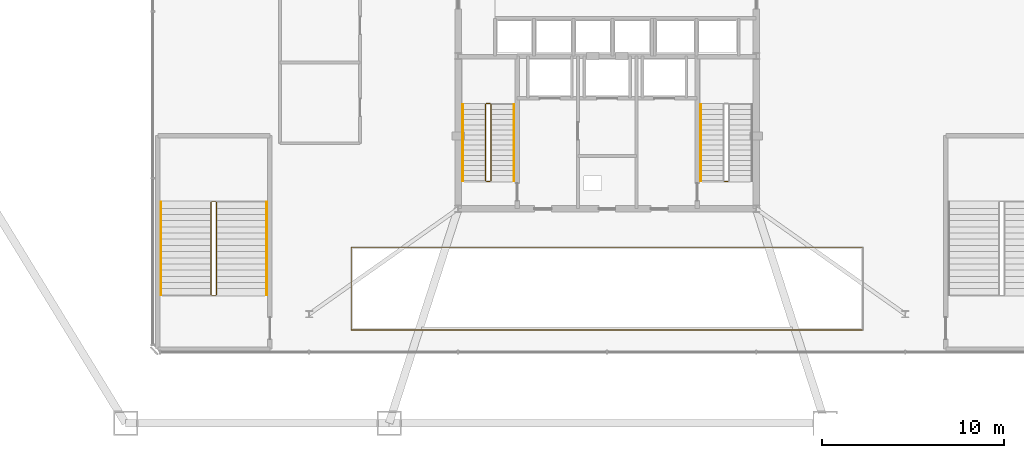
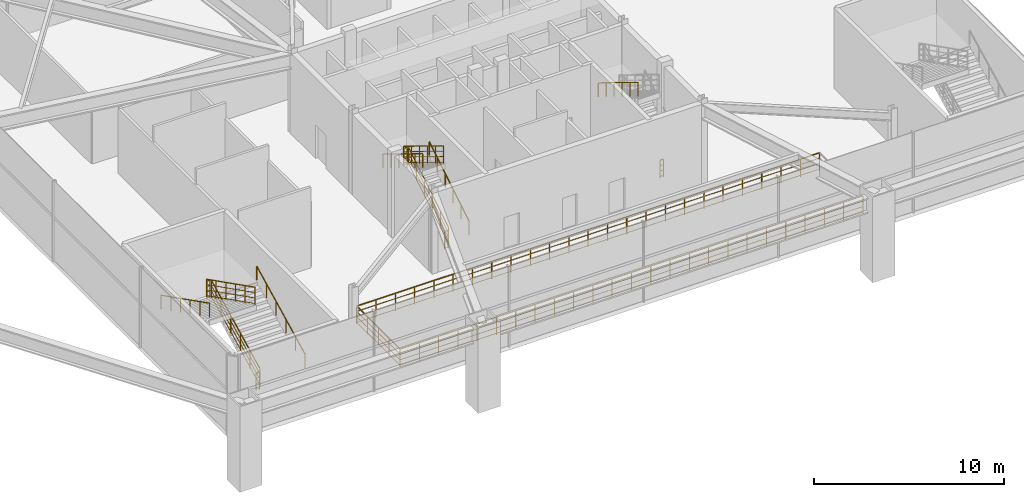
# One storey, part 17 of 18: 17 railings.
"""IFC4 building model written with IfcOpenShell, lengths in metres."""

from ifc_helpers import new_model, si_unit, direction, frame, origin, origin_2d, place, context, subcontext, project, spatial, rectangle, extrude, material, type_object, element, save


model = new_model("IFC4")

# Units and contexts
model_context = context("Model", 3, precision=1e-05, world=origin(), true_north=direction((0.0, 1.0)))
body_context = subcontext(model_context, "Body", "Model", "MODEL_VIEW")
ifc_project = project(units=[si_unit("LENGTHUNIT", "METRE"), si_unit("AREAUNIT", "SQUARE_METRE"), si_unit("VOLUMEUNIT", "CUBIC_METRE"), si_unit("PLANEANGLEUNIT", "RADIAN"), si_unit("MASSUNIT", "GRAM", prefix="KILO")], contexts=[model_context])

# Site, building, storey
site_placement = place(None, origin())
site = spatial("IfcSite", under=ifc_project, at=site_placement, CompositionType="ELEMENT")
building_placement = place(site_placement, origin())
building = spatial("IfcBuilding", under=site, at=building_placement, Name="Varakhsha Concourse Tower", CompositionType="ELEMENT")
storey_placement = place(building_placement, frame((0.0, 0.0, 5.5)))
storey = spatial("IfcBuildingStorey", under=building, at=storey_placement, Name="L02", CompositionType="ELEMENT", Elevation=5.5)

# Railings
ifc_material = material(Name="Brushed Austenitic Stainless Steel AISI 316", Category="steel")
railing_type_1 = type_object("IfcRailingType", Name="RL-INT-GUARD-1120", PredefinedType="GUARDRAIL", material=ifc_material)
railing_1_placement = place(storey_placement, frame((25.919921875, 9.719970703125, 0.0)))
element("IfcRailing", 1, at=railing_1_placement, inside=storey, type_object=railing_type_1, Name="L02 Concourse Atrium Balustrade 1", PredefinedType="GUARDRAIL", context=body_context, shape_type="SweptSolid", body=[
    extrude(rectangle(XDim=0.048095703125, YDim=0.048095703125, at=origin_2d()), frame((0.0, 0.0, 1.1259765625), z_axis=(1.0, 0.0, 0.0), x_axis=(0.0, 1.0, 0.0)), (0.0, 0.0, 1.0), 28.16015625),
    extrude(rectangle(XDim=0.028076171875, YDim=0.028076171875, at=origin_2d()), frame((0.0, 0.0, 0.080078125), z_axis=(1.0, 0.0, 0.0), x_axis=(0.0, 1.0, 0.0)), (0.0, 0.0, 1.0), 28.16015625),
    extrude(rectangle(XDim=0.028076171875, YDim=0.028076171875, at=origin_2d()), frame((0.0, 0.0, 0.43701171875), z_axis=(1.0, 0.0, 0.0), x_axis=(0.0, 1.0, 0.0)), (0.0, 0.0, 1.0), 28.16015625),
    extrude(rectangle(XDim=0.028076171875, YDim=0.028076171875, at=origin_2d()), frame((0.0, 0.0, 0.781982421875), z_axis=(1.0, 0.0, 0.0), x_axis=(0.0, 1.0, 0.0)), (0.0, 0.0, 1.0), 28.16015625),
    extrude(rectangle(XDim=0.0419921875, YDim=0.0419921875, at=origin_2d()), origin(), (0.0, 0.0, 1.0), 1.101806640625),
    extrude(rectangle(XDim=0.0419921875, YDim=0.0419921875, at=origin_2d()), frame((1.17333984375, 0.0, 0.0)), (0.0, 0.0, 1.0), 1.101806640625),
    extrude(rectangle(XDim=0.0419921875, YDim=0.0419921875, at=origin_2d()), frame((2.3466796875, 0.0, 0.0)), (0.0, 0.0, 1.0), 1.101806640625),
    extrude(rectangle(XDim=0.0419921875, YDim=0.0419921875, at=origin_2d()), frame((3.52001953125, 0.0, 0.0)), (0.0, 0.0, 1.0), 1.101806640625),
    extrude(rectangle(XDim=0.0419921875, YDim=0.0419921875, at=origin_2d()), frame((4.693359375, 0.0, 0.0)), (0.0, 0.0, 1.0), 1.101806640625),
    extrude(rectangle(XDim=0.0419921875, YDim=0.0419921875, at=origin_2d()), frame((5.86669921875, 0.0, 0.0)), (0.0, 0.0, 1.0), 1.101806640625),
    extrude(rectangle(XDim=0.0419921875, YDim=0.0419921875, at=origin_2d()), frame((7.0400390625, 0.0, 0.0)), (0.0, 0.0, 1.0), 1.101806640625),
    extrude(rectangle(XDim=0.0419921875, YDim=0.0419921875, at=origin_2d()), frame((8.21337890625, 0.0, 0.0)), (0.0, 0.0, 1.0), 1.101806640625),
    extrude(rectangle(XDim=0.0419921875, YDim=0.0419921875, at=origin_2d()), frame((9.38671875, 0.0, 0.0)), (0.0, 0.0, 1.0), 1.101806640625),
    extrude(rectangle(XDim=0.0419921875, YDim=0.0419921875, at=origin_2d()), frame((10.56005859375, 0.0, 0.0)), (0.0, 0.0, 1.0), 1.101806640625),
    extrude(rectangle(XDim=0.0419921875, YDim=0.0419921875, at=origin_2d()), frame((11.7333984375, 0.0, 0.0)), (0.0, 0.0, 1.0), 1.101806640625),
    extrude(rectangle(XDim=0.0419921875, YDim=0.0419921875, at=origin_2d()), frame((12.90673828125, 0.0, 0.0)), (0.0, 0.0, 1.0), 1.101806640625),
    extrude(rectangle(XDim=0.0419921875, YDim=0.0419921875, at=origin_2d()), frame((14.080078125, 0.0, 0.0)), (0.0, 0.0, 1.0), 1.101806640625),
    extrude(rectangle(XDim=0.0419921875, YDim=0.0419921875, at=origin_2d()), frame((15.25341796875, 0.0, 0.0)), (0.0, 0.0, 1.0), 1.101806640625),
    extrude(rectangle(XDim=0.0419921875, YDim=0.0419921875, at=origin_2d()), frame((16.4267578125, 0.0, 0.0)), (0.0, 0.0, 1.0), 1.101806640625),
    extrude(rectangle(XDim=0.0419921875, YDim=0.0419921875, at=origin_2d()), frame((17.60009765625, 0.0, 0.0)), (0.0, 0.0, 1.0), 1.101806640625),
    extrude(rectangle(XDim=0.0419921875, YDim=0.0419921875, at=origin_2d()), frame((18.7734375, 0.0, 0.0)), (0.0, 0.0, 1.0), 1.101806640625),
    extrude(rectangle(XDim=0.0419921875, YDim=0.0419921875, at=origin_2d()), frame((19.94677734375, 0.0, 0.0)), (0.0, 0.0, 1.0), 1.101806640625),
    extrude(rectangle(XDim=0.0419921875, YDim=0.0419921875, at=origin_2d()), frame((21.1201171875, 0.0, 0.0)), (0.0, 0.0, 1.0), 1.101806640625),
    extrude(rectangle(XDim=0.0419921875, YDim=0.0419921875, at=origin_2d()), frame((22.29345703125, 0.0, 0.0)), (0.0, 0.0, 1.0), 1.101806640625),
    extrude(rectangle(XDim=0.0419921875, YDim=0.0419921875, at=origin_2d()), frame((23.466796875, 0.0, 0.0)), (0.0, 0.0, 1.0), 1.101806640625),
    extrude(rectangle(XDim=0.0419921875, YDim=0.0419921875, at=origin_2d()), frame((24.64013671875, 0.0, 0.0)), (0.0, 0.0, 1.0), 1.101806640625),
    extrude(rectangle(XDim=0.0419921875, YDim=0.0419921875, at=origin_2d()), frame((25.8134765625, 0.0, 0.0)), (0.0, 0.0, 1.0), 1.101806640625),
    extrude(rectangle(XDim=0.0419921875, YDim=0.0419921875, at=origin_2d()), frame((26.98681640625, 0.0, 0.0)), (0.0, 0.0, 1.0), 1.101806640625),
    extrude(rectangle(XDim=0.0419921875, YDim=0.0419921875, at=origin_2d()), frame((28.16015625, 0.0, 0.0)), (0.0, 0.0, 1.0), 1.101806640625),
])
railing_2_placement = place(storey_placement, frame((54.080078125, 14.280029296875, 0.0)))
element("IfcRailing", 2, at=railing_2_placement, inside=storey, type_object=railing_type_1, Name="L02 Concourse Atrium Balustrade 3", PredefinedType="GUARDRAIL", context=body_context, shape_type="SweptSolid", body=[
    extrude(rectangle(XDim=0.048095703125, YDim=0.048095703125, at=origin_2d()), frame((0.0, 0.0, 1.1259765625), z_axis=(-1.0, 0.0, 0.0), x_axis=(0.0, -1.0, 0.0)), (0.0, 0.0, 1.0), 28.16015625),
    extrude(rectangle(XDim=0.028076171875, YDim=0.028076171875, at=origin_2d()), frame((0.0, 0.0, 0.080078125), z_axis=(-1.0, 0.0, 0.0), x_axis=(0.0, -1.0, 0.0)), (0.0, 0.0, 1.0), 28.16015625),
    extrude(rectangle(XDim=0.028076171875, YDim=0.028076171875, at=origin_2d()), frame((0.0, 0.0, 0.43701171875), z_axis=(-1.0, 0.0, 0.0), x_axis=(0.0, -1.0, 0.0)), (0.0, 0.0, 1.0), 28.16015625),
    extrude(rectangle(XDim=0.028076171875, YDim=0.028076171875, at=origin_2d()), frame((0.0, 0.0, 0.781982421875), z_axis=(-1.0, 0.0, 0.0), x_axis=(0.0, -1.0, 0.0)), (0.0, 0.0, 1.0), 28.16015625),
    extrude(rectangle(XDim=0.0419921875, YDim=0.0419921875, at=origin_2d()), origin(), (0.0, 0.0, 1.0), 1.101806640625),
    extrude(rectangle(XDim=0.0419921875, YDim=0.0419921875, at=origin_2d()), frame((-1.17333984375, 0.0, 0.0)), (0.0, 0.0, 1.0), 1.101806640625),
    extrude(rectangle(XDim=0.0419921875, YDim=0.0419921875, at=origin_2d()), frame((-2.3466796875, 0.0, 0.0)), (0.0, 0.0, 1.0), 1.101806640625),
    extrude(rectangle(XDim=0.0419921875, YDim=0.0419921875, at=origin_2d()), frame((-3.52001953125, 0.0, 0.0)), (0.0, 0.0, 1.0), 1.101806640625),
    extrude(rectangle(XDim=0.0419921875, YDim=0.0419921875, at=origin_2d()), frame((-4.693359375, 0.0, 0.0)), (0.0, 0.0, 1.0), 1.101806640625),
    extrude(rectangle(XDim=0.0419921875, YDim=0.0419921875, at=origin_2d()), frame((-5.86669921875, 0.0, 0.0)), (0.0, 0.0, 1.0), 1.101806640625),
    extrude(rectangle(XDim=0.0419921875, YDim=0.0419921875, at=origin_2d()), frame((-7.0400390625, 0.0, 0.0)), (0.0, 0.0, 1.0), 1.101806640625),
    extrude(rectangle(XDim=0.0419921875, YDim=0.0419921875, at=origin_2d()), frame((-8.21337890625, 0.0, 0.0)), (0.0, 0.0, 1.0), 1.101806640625),
    extrude(rectangle(XDim=0.0419921875, YDim=0.0419921875, at=origin_2d()), frame((-9.38671875, 0.0, 0.0)), (0.0, 0.0, 1.0), 1.101806640625),
    extrude(rectangle(XDim=0.0419921875, YDim=0.0419921875, at=origin_2d()), frame((-10.56005859375, 0.0, 0.0)), (0.0, 0.0, 1.0), 1.101806640625),
    extrude(rectangle(XDim=0.0419921875, YDim=0.0419921875, at=origin_2d()), frame((-11.7333984375, 0.0, 0.0)), (0.0, 0.0, 1.0), 1.101806640625),
    extrude(rectangle(XDim=0.0419921875, YDim=0.0419921875, at=origin_2d()), frame((-12.90673828125, 0.0, 0.0)), (0.0, 0.0, 1.0), 1.101806640625),
    extrude(rectangle(XDim=0.0419921875, YDim=0.0419921875, at=origin_2d()), frame((-14.080078125, 0.0, 0.0)), (0.0, 0.0, 1.0), 1.101806640625),
    extrude(rectangle(XDim=0.0419921875, YDim=0.0419921875, at=origin_2d()), frame((-15.25341796875, 0.0, 0.0)), (0.0, 0.0, 1.0), 1.101806640625),
    extrude(rectangle(XDim=0.0419921875, YDim=0.0419921875, at=origin_2d()), frame((-16.4267578125, 0.0, 0.0)), (0.0, 0.0, 1.0), 1.101806640625),
    extrude(rectangle(XDim=0.0419921875, YDim=0.0419921875, at=origin_2d()), frame((-17.60009765625, 0.0, 0.0)), (0.0, 0.0, 1.0), 1.101806640625),
    extrude(rectangle(XDim=0.0419921875, YDim=0.0419921875, at=origin_2d()), frame((-18.7734375, 0.0, 0.0)), (0.0, 0.0, 1.0), 1.101806640625),
    extrude(rectangle(XDim=0.0419921875, YDim=0.0419921875, at=origin_2d()), frame((-19.94677734375, 0.0, 0.0)), (0.0, 0.0, 1.0), 1.101806640625),
    extrude(rectangle(XDim=0.0419921875, YDim=0.0419921875, at=origin_2d()), frame((-21.1201171875, 0.0, 0.0)), (0.0, 0.0, 1.0), 1.101806640625),
    extrude(rectangle(XDim=0.0419921875, YDim=0.0419921875, at=origin_2d()), frame((-22.29345703125, 0.0, 0.0)), (0.0, 0.0, 1.0), 1.101806640625),
    extrude(rectangle(XDim=0.0419921875, YDim=0.0419921875, at=origin_2d()), frame((-23.466796875, 0.0, 0.0)), (0.0, 0.0, 1.0), 1.101806640625),
    extrude(rectangle(XDim=0.0419921875, YDim=0.0419921875, at=origin_2d()), frame((-24.64013671875, 0.0, 0.0)), (0.0, 0.0, 1.0), 1.101806640625),
    extrude(rectangle(XDim=0.0419921875, YDim=0.0419921875, at=origin_2d()), frame((-25.8134765625, 0.0, 0.0)), (0.0, 0.0, 1.0), 1.101806640625),
    extrude(rectangle(XDim=0.0419921875, YDim=0.0419921875, at=origin_2d()), frame((-26.98681640625, 0.0, 0.0)), (0.0, 0.0, 1.0), 1.101806640625),
    extrude(rectangle(XDim=0.0419921875, YDim=0.0419921875, at=origin_2d()), frame((-28.16015625, 0.0, 0.0)), (0.0, 0.0, 1.0), 1.101806640625),
])
railing_3_placement = place(storey_placement, frame((25.919921875, 14.280029296875, 0.0)))
element("IfcRailing", 3, at=railing_3_placement, inside=storey, type_object=railing_type_1, Name="L02 Concourse Atrium Balustrade 4", PredefinedType="GUARDRAIL", context=body_context, shape_type="SweptSolid", body=[
    extrude(rectangle(XDim=0.048095703125, YDim=0.048095703125, at=origin_2d()), frame((0.0, 0.0, 1.1259765625), z_axis=(0.0, -1.0, 0.0), x_axis=(1.0, 0.0, 0.0)), (0.0, 0.0, 1.0), 4.56005859375),
    extrude(rectangle(XDim=0.028076171875, YDim=0.028076171875, at=origin_2d()), frame((0.0, 0.0, 0.080078125), z_axis=(0.0, -1.0, 0.0), x_axis=(1.0, 0.0, 0.0)), (0.0, 0.0, 1.0), 4.56005859375),
    extrude(rectangle(XDim=0.028076171875, YDim=0.028076171875, at=origin_2d()), frame((0.0, 0.0, 0.43701171875), z_axis=(0.0, -1.0, 0.0), x_axis=(1.0, 0.0, 0.0)), (0.0, 0.0, 1.0), 4.56005859375),
    extrude(rectangle(XDim=0.028076171875, YDim=0.028076171875, at=origin_2d()), frame((0.0, 0.0, 0.781982421875), z_axis=(0.0, -1.0, 0.0), x_axis=(1.0, 0.0, 0.0)), (0.0, 0.0, 1.0), 4.56005859375),
    extrude(rectangle(XDim=0.0419921875, YDim=0.0419921875, at=origin_2d()), origin(), (0.0, 0.0, 1.0), 1.101806640625),
    extrude(rectangle(XDim=0.0419921875, YDim=0.0419921875, at=origin_2d()), frame((0.0, -1.14013671875, 0.0)), (0.0, 0.0, 1.0), 1.101806640625),
    extrude(rectangle(XDim=0.0419921875, YDim=0.0419921875, at=origin_2d()), frame((0.0, -2.280029296875, 0.0)), (0.0, 0.0, 1.0), 1.101806640625),
    extrude(rectangle(XDim=0.0419921875, YDim=0.0419921875, at=origin_2d()), frame((0.0, -3.419921875, 0.0)), (0.0, 0.0, 1.0), 1.101806640625),
    extrude(rectangle(XDim=0.0419921875, YDim=0.0419921875, at=origin_2d()), frame((0.0, -4.56005859375, 0.0)), (0.0, 0.0, 1.0), 1.101806640625),
])
railing_type_2 = type_object("IfcRailingType", Name="RL-STAIR-GUARD-1100", PredefinedType="GUARDRAIL", material=ifc_material)
railing_4_placement = place(storey_placement, frame((33.610107421875, 17.93994140625, 0.171875)))
element("IfcRailing", 4, at=railing_4_placement, inside=storey, type_object=railing_type_2, Name="L02 ST1 stair guard 1", PredefinedType="GUARDRAIL", context=body_context, shape_type="SweptSolid", body=[
    extrude(rectangle(XDim=0.048095703125, YDim=0.048095703125, at=origin_2d()), frame((0.0, 0.0, 1.1259765625), z_axis=(0.0, 0.852242915053, 0.523146264196), x_axis=(-1.0, 0.0, 0.0)), (0.0, 0.0, 1.0), 4.92822265625),
    extrude(rectangle(XDim=0.028076171875, YDim=0.028076171875, at=origin_2d()), frame((0.0, 0.0, 0.080078125), z_axis=(0.0, 0.852242915053, 0.523146264196), x_axis=(-1.0, 0.0, 0.0)), (0.0, 0.0, 1.0), 4.92822265625),
    extrude(rectangle(XDim=0.028076171875, YDim=0.028076171875, at=origin_2d()), frame((0.0, 0.0, 0.43701171875), z_axis=(0.0, 0.852242915053, 0.523146264196), x_axis=(-1.0, 0.0, 0.0)), (0.0, 0.0, 1.0), 4.92822265625),
    extrude(rectangle(XDim=0.028076171875, YDim=0.028076171875, at=origin_2d()), frame((0.0, 0.0, 0.781982421875), z_axis=(0.0, 0.852242915053, 0.523146264196), x_axis=(-1.0, 0.0, 0.0)), (0.0, 0.0, 1.0), 4.92822265625),
    extrude(rectangle(XDim=0.0419921875, YDim=0.0419921875, at=origin_2d()), origin(), (0.0, 0.0, 1.0), 1.101806640625),
    extrude(rectangle(XDim=0.0419921875, YDim=0.0419921875, at=origin_2d()), frame((0.0, 0.840087890625, 0.515625)), (0.0, 0.0, 1.0), 1.101806640625),
    extrude(rectangle(XDim=0.0419921875, YDim=0.0419921875, at=origin_2d()), frame((0.0, 1.679931640625, 1.03125)), (0.0, 0.0, 1.0), 1.101806640625),
    extrude(rectangle(XDim=0.0419921875, YDim=0.0419921875, at=origin_2d()), frame((0.0, 2.52001953125, 1.546875)), (0.0, 0.0, 1.0), 1.101806640625),
    extrude(rectangle(XDim=0.0419921875, YDim=0.0419921875, at=origin_2d()), frame((0.0, 3.35986328125, 2.0625)), (0.0, 0.0, 1.0), 1.101806640625),
    extrude(rectangle(XDim=0.0419921875, YDim=0.0419921875, at=origin_2d()), frame((0.0, 4.199951171875, 2.578125)), (0.0, 0.0, 1.0), 1.101806640625),
])
railing_5_placement = place(storey_placement, frame((33.56005859375, 22.18994140625, 2.75)))
element("IfcRailing", 5, at=railing_5_placement, inside=storey, type_object=railing_type_2, Name="L02 ST1 stair guard 2", PredefinedType="GUARDRAIL", context=body_context, shape_type="SweptSolid", body=[
    extrude(rectangle(XDim=0.048095703125, YDim=0.048095703125, at=origin_2d()), frame((0.0, 0.0, 1.1259765625), z_axis=(-1.0, 0.0, 0.0), x_axis=(0.0, -1.0, 0.0)), (0.0, 0.0, 1.0), 0.199951171875),
    extrude(rectangle(XDim=0.028076171875, YDim=0.028076171875, at=origin_2d()), frame((0.0, 0.0, 0.080078125), z_axis=(-1.0, 0.0, 0.0), x_axis=(0.0, -1.0, 0.0)), (0.0, 0.0, 1.0), 0.199951171875),
    extrude(rectangle(XDim=0.028076171875, YDim=0.028076171875, at=origin_2d()), frame((0.0, 0.0, 0.43701171875), z_axis=(-1.0, 0.0, 0.0), x_axis=(0.0, -1.0, 0.0)), (0.0, 0.0, 1.0), 0.199951171875),
    extrude(rectangle(XDim=0.028076171875, YDim=0.028076171875, at=origin_2d()), frame((0.0, 0.0, 0.781982421875), z_axis=(-1.0, 0.0, 0.0), x_axis=(0.0, -1.0, 0.0)), (0.0, 0.0, 1.0), 0.199951171875),
    extrude(rectangle(XDim=0.0419921875, YDim=0.0419921875, at=origin_2d()), origin(), (0.0, 0.0, 1.0), 1.101806640625),
    extrude(rectangle(XDim=0.0419921875, YDim=0.0419921875, at=origin_2d()), frame((-0.199951171875, 0.0, 0.0)), (0.0, 0.0, 1.0), 1.101806640625),
])
railing_6_placement = place(storey_placement, frame((33.31005859375, 22.139892578125, 2.921875)))
element("IfcRailing", 6, at=railing_6_placement, inside=storey, type_object=railing_type_2, Name="L02 ST1 stair guard 3", PredefinedType="GUARDRAIL", context=body_context, shape_type="SweptSolid", body=[
    extrude(rectangle(XDim=0.048095703125, YDim=0.048095703125, at=origin_2d()), frame((0.0, 0.0, 1.1259765625), z_axis=(0.0, -0.852242915053, 0.523146264196), x_axis=(1.0, 0.0, 0.0)), (0.0, 0.0, 1.0), 4.92822265625),
    extrude(rectangle(XDim=0.028076171875, YDim=0.028076171875, at=origin_2d()), frame((0.0, 0.0, 0.080078125), z_axis=(0.0, -0.852242915053, 0.523146264196), x_axis=(1.0, 0.0, 0.0)), (0.0, 0.0, 1.0), 4.92822265625),
    extrude(rectangle(XDim=0.028076171875, YDim=0.028076171875, at=origin_2d()), frame((0.0, 0.0, 0.43701171875), z_axis=(0.0, -0.852242915053, 0.523146264196), x_axis=(1.0, 0.0, 0.0)), (0.0, 0.0, 1.0), 4.92822265625),
    extrude(rectangle(XDim=0.028076171875, YDim=0.028076171875, at=origin_2d()), frame((0.0, 0.0, 0.781982421875), z_axis=(0.0, -0.852242915053, 0.523146264196), x_axis=(1.0, 0.0, 0.0)), (0.0, 0.0, 1.0), 4.92822265625),
    extrude(rectangle(XDim=0.0419921875, YDim=0.0419921875, at=origin_2d()), origin(), (0.0, 0.0, 1.0), 1.101806640625),
    extrude(rectangle(XDim=0.0419921875, YDim=0.0419921875, at=origin_2d()), frame((0.0, -0.840087890625, 0.515625)), (0.0, 0.0, 1.0), 1.101806640625),
    extrude(rectangle(XDim=0.0419921875, YDim=0.0419921875, at=origin_2d()), frame((0.0, -1.679931640625, 1.03125)), (0.0, 0.0, 1.0), 1.101806640625),
    extrude(rectangle(XDim=0.0419921875, YDim=0.0419921875, at=origin_2d()), frame((0.0, -2.52001953125, 1.546875)), (0.0, 0.0, 1.0), 1.101806640625),
    extrude(rectangle(XDim=0.0419921875, YDim=0.0419921875, at=origin_2d()), frame((0.0, -3.35986328125, 2.0625)), (0.0, 0.0, 1.0), 1.101806640625),
    extrude(rectangle(XDim=0.0419921875, YDim=0.0419921875, at=origin_2d()), frame((0.0, -4.199951171875, 2.578125)), (0.0, 0.0, 1.0), 1.101806640625),
])
for number, where, name in (
    (7, (33.56005859375, 17.889892578125, 0.0), "L02 ST1 stair guard 4"),
    (8, (46.659912109375, 17.889892578125, 0.0), "L02 ST2 stair guard 4"),
):
    element("IfcRailing", number, at=place(storey_placement, frame(where)), inside=storey, type_object=railing_type_2, Name=name, PredefinedType="GUARDRAIL", context=body_context, shape_type="SweptSolid", body=[
        extrude(rectangle(XDim=0.048095703125, YDim=0.048095703125, at=origin_2d()), frame((0.0, 0.0, 1.1259765625), z_axis=(-1.0, 0.0, 0.0), x_axis=(0.0, -1.0, 0.0)), (0.0, 0.0, 1.0), 0.199951171875),
        extrude(rectangle(XDim=0.028076171875, YDim=0.028076171875, at=origin_2d()), frame((0.0, 0.0, 0.080078125), z_axis=(-1.0, 0.0, 0.0), x_axis=(0.0, -1.0, 0.0)), (0.0, 0.0, 1.0), 0.199951171875),
        extrude(rectangle(XDim=0.028076171875, YDim=0.028076171875, at=origin_2d()), frame((0.0, 0.0, 0.43701171875), z_axis=(-1.0, 0.0, 0.0), x_axis=(0.0, -1.0, 0.0)), (0.0, 0.0, 1.0), 0.199951171875),
        extrude(rectangle(XDim=0.028076171875, YDim=0.028076171875, at=origin_2d()), frame((0.0, 0.0, 0.781982421875), z_axis=(-1.0, 0.0, 0.0), x_axis=(0.0, -1.0, 0.0)), (0.0, 0.0, 1.0), 0.199951171875),
        extrude(rectangle(XDim=0.0419921875, YDim=0.0419921875, at=origin_2d()), origin(), (0.0, 0.0, 1.0), 1.101806640625),
        extrude(rectangle(XDim=0.0419921875, YDim=0.0419921875, at=origin_2d()), frame((-0.199951171875, 0.0, 0.0)), (0.0, 0.0, 1.0), 1.101806640625),
    ])
railing_7_placement = place(storey_placement, frame((18.510009765625, 11.659912109375, 0.171875)))
element("IfcRailing", 9, at=railing_7_placement, inside=storey, type_object=railing_type_2, Name="L02 ST3 stair guard 1", PredefinedType="GUARDRAIL", context=body_context, shape_type="SweptSolid", body=[
    extrude(rectangle(XDim=0.048095703125, YDim=0.048095703125, at=origin_2d()), frame((0.0, 0.0, 1.1259765625), z_axis=(0.0, 0.892453363607, 0.451139661067), x_axis=(-1.0, 0.0, 0.0)), (0.0, 0.0, 1.0), 5.714599609375),
    extrude(rectangle(XDim=0.028076171875, YDim=0.028076171875, at=origin_2d()), frame((0.0, 0.0, 0.080078125), z_axis=(0.0, 0.892453363607, 0.451139661067), x_axis=(-1.0, 0.0, 0.0)), (0.0, 0.0, 1.0), 5.714599609375),
    extrude(rectangle(XDim=0.028076171875, YDim=0.028076171875, at=origin_2d()), frame((0.0, 0.0, 0.43701171875), z_axis=(0.0, 0.892453363607, 0.451139661067), x_axis=(-1.0, 0.0, 0.0)), (0.0, 0.0, 1.0), 5.714599609375),
    extrude(rectangle(XDim=0.028076171875, YDim=0.028076171875, at=origin_2d()), frame((0.0, 0.0, 0.781982421875), z_axis=(0.0, 0.892453363607, 0.451139661067), x_axis=(-1.0, 0.0, 0.0)), (0.0, 0.0, 1.0), 5.714599609375),
    extrude(rectangle(XDim=0.0419921875, YDim=0.0419921875, at=origin_2d()), origin(), (0.0, 0.0, 1.0), 1.101806640625),
    extrude(rectangle(XDim=0.0419921875, YDim=0.0419921875, at=origin_2d()), frame((0.0, 1.02001953125, 0.515625)), (0.0, 0.0, 1.0), 1.101806640625),
    extrude(rectangle(XDim=0.0419921875, YDim=0.0419921875, at=origin_2d()), frame((0.0, 2.0400390625, 1.03125)), (0.0, 0.0, 1.0), 1.101806640625),
    extrude(rectangle(XDim=0.0419921875, YDim=0.0419921875, at=origin_2d()), frame((0.0, 3.06005859375, 1.546875)), (0.0, 0.0, 1.0), 1.101806640625),
    extrude(rectangle(XDim=0.0419921875, YDim=0.0419921875, at=origin_2d()), frame((0.0, 4.080078125, 2.0625)), (0.0, 0.0, 1.0), 1.101806640625),
    extrude(rectangle(XDim=0.0419921875, YDim=0.0419921875, at=origin_2d()), frame((0.0, 5.10009765625, 2.578125)), (0.0, 0.0, 1.0), 1.101806640625),
])
railing_8_placement = place(storey_placement, frame((18.4599609375, 16.81005859375, 2.75)))
element("IfcRailing", 10, at=railing_8_placement, inside=storey, type_object=railing_type_2, Name="L02 ST3 stair guard 2", PredefinedType="GUARDRAIL", context=body_context, shape_type="SweptSolid", body=[
    extrude(rectangle(XDim=0.048095703125, YDim=0.048095703125, at=origin_2d()), frame((0.0, 0.0, 1.1259765625), z_axis=(-1.0, 0.0, 0.0), x_axis=(0.0, -1.0, 0.0)), (0.0, 0.0, 1.0), 0.199951171875),
    extrude(rectangle(XDim=0.028076171875, YDim=0.028076171875, at=origin_2d()), frame((0.0, 0.0, 0.080078125), z_axis=(-1.0, 0.0, 0.0), x_axis=(0.0, -1.0, 0.0)), (0.0, 0.0, 1.0), 0.199951171875),
    extrude(rectangle(XDim=0.028076171875, YDim=0.028076171875, at=origin_2d()), frame((0.0, 0.0, 0.43701171875), z_axis=(-1.0, 0.0, 0.0), x_axis=(0.0, -1.0, 0.0)), (0.0, 0.0, 1.0), 0.199951171875),
    extrude(rectangle(XDim=0.028076171875, YDim=0.028076171875, at=origin_2d()), frame((0.0, 0.0, 0.781982421875), z_axis=(-1.0, 0.0, 0.0), x_axis=(0.0, -1.0, 0.0)), (0.0, 0.0, 1.0), 0.199951171875),
    extrude(rectangle(XDim=0.0419921875, YDim=0.0419921875, at=origin_2d()), origin(), (0.0, 0.0, 1.0), 1.101806640625),
    extrude(rectangle(XDim=0.0419921875, YDim=0.0419921875, at=origin_2d()), frame((-0.199951171875, 0.0, 0.0)), (0.0, 0.0, 1.0), 1.101806640625),
])
railing_9_placement = place(storey_placement, frame((18.2099609375, 16.760009765625, 2.921875)))
element("IfcRailing", 11, at=railing_9_placement, inside=storey, type_object=railing_type_2, Name="L02 ST3 stair guard 3", PredefinedType="GUARDRAIL", context=body_context, shape_type="SweptSolid", body=[
    extrude(rectangle(XDim=0.048095703125, YDim=0.048095703125, at=origin_2d()), frame((0.0, 0.0, 1.1259765625), z_axis=(0.0, -0.892453363607, 0.451139661067), x_axis=(1.0, 0.0, 0.0)), (0.0, 0.0, 1.0), 5.714599609375),
    extrude(rectangle(XDim=0.028076171875, YDim=0.028076171875, at=origin_2d()), frame((0.0, 0.0, 0.080078125), z_axis=(0.0, -0.892453363607, 0.451139661067), x_axis=(1.0, 0.0, 0.0)), (0.0, 0.0, 1.0), 5.714599609375),
    extrude(rectangle(XDim=0.028076171875, YDim=0.028076171875, at=origin_2d()), frame((0.0, 0.0, 0.43701171875), z_axis=(0.0, -0.892453363607, 0.451139661067), x_axis=(1.0, 0.0, 0.0)), (0.0, 0.0, 1.0), 5.714599609375),
    extrude(rectangle(XDim=0.028076171875, YDim=0.028076171875, at=origin_2d()), frame((0.0, 0.0, 0.781982421875), z_axis=(0.0, -0.892453363607, 0.451139661067), x_axis=(1.0, 0.0, 0.0)), (0.0, 0.0, 1.0), 5.714599609375),
    extrude(rectangle(XDim=0.0419921875, YDim=0.0419921875, at=origin_2d()), origin(), (0.0, 0.0, 1.0), 1.101806640625),
    extrude(rectangle(XDim=0.0419921875, YDim=0.0419921875, at=origin_2d()), frame((0.0, -1.02001953125, 0.515625)), (0.0, 0.0, 1.0), 1.101806640625),
    extrude(rectangle(XDim=0.0419921875, YDim=0.0419921875, at=origin_2d()), frame((0.0, -2.0400390625, 1.03125)), (0.0, 0.0, 1.0), 1.101806640625),
    extrude(rectangle(XDim=0.0419921875, YDim=0.0419921875, at=origin_2d()), frame((0.0, -3.06005859375, 1.546875)), (0.0, 0.0, 1.0), 1.101806640625),
    extrude(rectangle(XDim=0.0419921875, YDim=0.0419921875, at=origin_2d()), frame((0.0, -4.080078125, 2.0625)), (0.0, 0.0, 1.0), 1.101806640625),
    extrude(rectangle(XDim=0.0419921875, YDim=0.0419921875, at=origin_2d()), frame((0.0, -5.10009765625, 2.578125)), (0.0, 0.0, 1.0), 1.101806640625),
])
railing_10_placement = place(storey_placement, frame((18.4599609375, 11.610107421875, 0.0)))
element("IfcRailing", 12, at=railing_10_placement, inside=storey, type_object=railing_type_2, Name="L02 ST3 stair guard 4", PredefinedType="GUARDRAIL", context=body_context, shape_type="SweptSolid", body=[
    extrude(rectangle(XDim=0.048095703125, YDim=0.048095703125, at=origin_2d()), frame((0.0, 0.0, 1.1259765625), z_axis=(-1.0, 0.0, 0.0), x_axis=(0.0, -1.0, 0.0)), (0.0, 0.0, 1.0), 0.199951171875),
    extrude(rectangle(XDim=0.028076171875, YDim=0.028076171875, at=origin_2d()), frame((0.0, 0.0, 0.080078125), z_axis=(-1.0, 0.0, 0.0), x_axis=(0.0, -1.0, 0.0)), (0.0, 0.0, 1.0), 0.199951171875),
    extrude(rectangle(XDim=0.028076171875, YDim=0.028076171875, at=origin_2d()), frame((0.0, 0.0, 0.43701171875), z_axis=(-1.0, 0.0, 0.0), x_axis=(0.0, -1.0, 0.0)), (0.0, 0.0, 1.0), 0.199951171875),
    extrude(rectangle(XDim=0.028076171875, YDim=0.028076171875, at=origin_2d()), frame((0.0, 0.0, 0.781982421875), z_axis=(-1.0, 0.0, 0.0), x_axis=(0.0, -1.0, 0.0)), (0.0, 0.0, 1.0), 0.199951171875),
    extrude(rectangle(XDim=0.0419921875, YDim=0.0419921875, at=origin_2d()), origin(), (0.0, 0.0, 1.0), 1.101806640625),
    extrude(rectangle(XDim=0.0419921875, YDim=0.0419921875, at=origin_2d()), frame((-0.199951171875, 0.0, 0.0)), (0.0, 0.0, 1.0), 1.101806640625),
])
railing_type_3 = type_object("IfcRailingType", Name="RL-STAIR-RAIL-915", PredefinedType="HANDRAIL", material=ifc_material)
railing_11_placement = place(storey_placement, frame((34.8701171875, 17.93994140625, 0.34375)))
element("IfcRailing", 13, at=railing_11_placement, inside=storey, type_object=railing_type_3, Name="L02 ST1 stair handrail 1", PredefinedType="HANDRAIL", context=body_context, shape_type="SweptSolid", body=[
    extrude(rectangle(XDim=0.048095703125, YDim=0.048095703125, at=origin_2d()), frame((0.0, 0.0, 0.89111328125), z_axis=(0.0, 0.852242915053, 0.523146264196), x_axis=(-1.0, 0.0, 0.0)), (0.0, 0.0, 1.0), 4.92822265625),
    extrude(rectangle(XDim=0.0419921875, YDim=0.0419921875, at=origin_2d()), origin(), (0.0, 0.0, 1.0), 0.866943359375),
    extrude(rectangle(XDim=0.0419921875, YDim=0.0419921875, at=origin_2d()), frame((0.0, 0.840087890625, 0.515625)), (0.0, 0.0, 1.0), 0.866943359375),
    extrude(rectangle(XDim=0.0419921875, YDim=0.0419921875, at=origin_2d()), frame((0.0, 1.679931640625, 1.03125)), (0.0, 0.0, 1.0), 0.866943359375),
    extrude(rectangle(XDim=0.0419921875, YDim=0.0419921875, at=origin_2d()), frame((0.0, 2.52001953125, 1.546875)), (0.0, 0.0, 1.0), 0.866943359375),
    extrude(rectangle(XDim=0.0419921875, YDim=0.0419921875, at=origin_2d()), frame((0.0, 3.35986328125, 2.0625)), (0.0, 0.0, 1.0), 0.866943359375),
    extrude(rectangle(XDim=0.0419921875, YDim=0.0419921875, at=origin_2d()), frame((0.0, 4.199951171875, 2.578125)), (0.0, 0.0, 1.0), 0.866943359375),
])
for number, where, name in (
    (14, (32.050048828125, 22.139892578125, 3.09375), "L02 ST1 stair handrail 2"),
    (15, (45.14990234375, 22.139892578125, 3.09375), "L02 ST2 stair handrail 2"),
):
    element("IfcRailing", number, at=place(storey_placement, frame(where)), inside=storey, type_object=railing_type_3, Name=name, PredefinedType="HANDRAIL", context=body_context, shape_type="SweptSolid", body=[
        extrude(rectangle(XDim=0.048095703125, YDim=0.048095703125, at=origin_2d()), frame((0.0, 0.0, 0.89111328125), z_axis=(0.0, -0.852242915053, 0.523146264196), x_axis=(1.0, 0.0, 0.0)), (0.0, 0.0, 1.0), 4.92822265625),
        extrude(rectangle(XDim=0.0419921875, YDim=0.0419921875, at=origin_2d()), origin(), (0.0, 0.0, 1.0), 0.866943359375),
        extrude(rectangle(XDim=0.0419921875, YDim=0.0419921875, at=origin_2d()), frame((0.0, -0.840087890625, 0.515625)), (0.0, 0.0, 1.0), 0.866943359375),
        extrude(rectangle(XDim=0.0419921875, YDim=0.0419921875, at=origin_2d()), frame((0.0, -1.679931640625, 1.03125)), (0.0, 0.0, 1.0), 0.866943359375),
        extrude(rectangle(XDim=0.0419921875, YDim=0.0419921875, at=origin_2d()), frame((0.0, -2.52001953125, 1.546875)), (0.0, 0.0, 1.0), 0.866943359375),
        extrude(rectangle(XDim=0.0419921875, YDim=0.0419921875, at=origin_2d()), frame((0.0, -3.35986328125, 2.0625)), (0.0, 0.0, 1.0), 0.866943359375),
        extrude(rectangle(XDim=0.0419921875, YDim=0.0419921875, at=origin_2d()), frame((0.0, -4.199951171875, 2.578125)), (0.0, 0.0, 1.0), 0.866943359375),
    ])
railing_12_placement = place(storey_placement, frame((21.27001953125, 11.659912109375, 0.34375)))
element("IfcRailing", 16, at=railing_12_placement, inside=storey, type_object=railing_type_3, Name="L02 ST3 stair handrail 1", PredefinedType="HANDRAIL", context=body_context, shape_type="SweptSolid", body=[
    extrude(rectangle(XDim=0.048095703125, YDim=0.048095703125, at=origin_2d()), frame((0.0, 0.0, 0.89111328125), z_axis=(0.0, 0.892453363607, 0.451139661067), x_axis=(-1.0, 0.0, 0.0)), (0.0, 0.0, 1.0), 5.714599609375),
    extrude(rectangle(XDim=0.0419921875, YDim=0.0419921875, at=origin_2d()), origin(), (0.0, 0.0, 1.0), 0.866943359375),
    extrude(rectangle(XDim=0.0419921875, YDim=0.0419921875, at=origin_2d()), frame((0.0, 1.02001953125, 0.515625)), (0.0, 0.0, 1.0), 0.866943359375),
    extrude(rectangle(XDim=0.0419921875, YDim=0.0419921875, at=origin_2d()), frame((0.0, 2.0400390625, 1.03125)), (0.0, 0.0, 1.0), 0.866943359375),
    extrude(rectangle(XDim=0.0419921875, YDim=0.0419921875, at=origin_2d()), frame((0.0, 3.06005859375, 1.546875)), (0.0, 0.0, 1.0), 0.866943359375),
    extrude(rectangle(XDim=0.0419921875, YDim=0.0419921875, at=origin_2d()), frame((0.0, 4.080078125, 2.0625)), (0.0, 0.0, 1.0), 0.866943359375),
    extrude(rectangle(XDim=0.0419921875, YDim=0.0419921875, at=origin_2d()), frame((0.0, 5.10009765625, 2.578125)), (0.0, 0.0, 1.0), 0.866943359375),
])
railing_13_placement = place(storey_placement, frame((15.449951171875, 16.760009765625, 3.09375)))
element("IfcRailing", 17, at=railing_13_placement, inside=storey, type_object=railing_type_3, Name="L02 ST3 stair handrail 2", PredefinedType="HANDRAIL", context=body_context, shape_type="SweptSolid", body=[
    extrude(rectangle(XDim=0.048095703125, YDim=0.048095703125, at=origin_2d()), frame((0.0, 0.0, 0.89111328125), z_axis=(0.0, -0.892453363607, 0.451139661067), x_axis=(1.0, 0.0, 0.0)), (0.0, 0.0, 1.0), 5.714599609375),
    extrude(rectangle(XDim=0.0419921875, YDim=0.0419921875, at=origin_2d()), origin(), (0.0, 0.0, 1.0), 0.866943359375),
    extrude(rectangle(XDim=0.0419921875, YDim=0.0419921875, at=origin_2d()), frame((0.0, -1.02001953125, 0.515625)), (0.0, 0.0, 1.0), 0.866943359375),
    extrude(rectangle(XDim=0.0419921875, YDim=0.0419921875, at=origin_2d()), frame((0.0, -2.0400390625, 1.03125)), (0.0, 0.0, 1.0), 0.866943359375),
    extrude(rectangle(XDim=0.0419921875, YDim=0.0419921875, at=origin_2d()), frame((0.0, -3.06005859375, 1.546875)), (0.0, 0.0, 1.0), 0.866943359375),
    extrude(rectangle(XDim=0.0419921875, YDim=0.0419921875, at=origin_2d()), frame((0.0, -4.080078125, 2.0625)), (0.0, 0.0, 1.0), 0.866943359375),
    extrude(rectangle(XDim=0.0419921875, YDim=0.0419921875, at=origin_2d()), frame((0.0, -5.10009765625, 2.578125)), (0.0, 0.0, 1.0), 0.866943359375),
])

save(model, "model.ifc")
